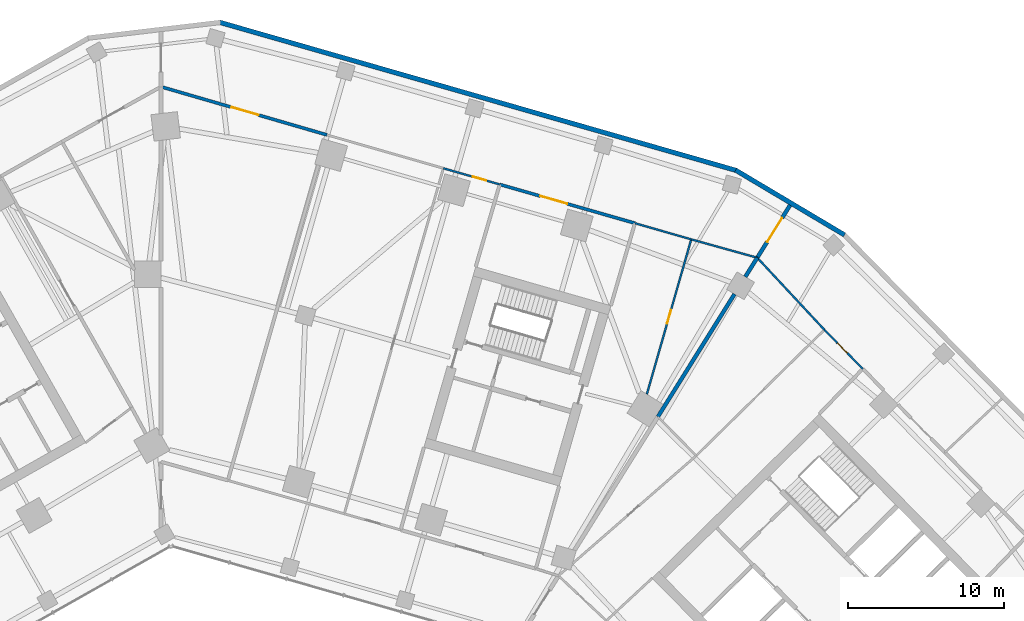
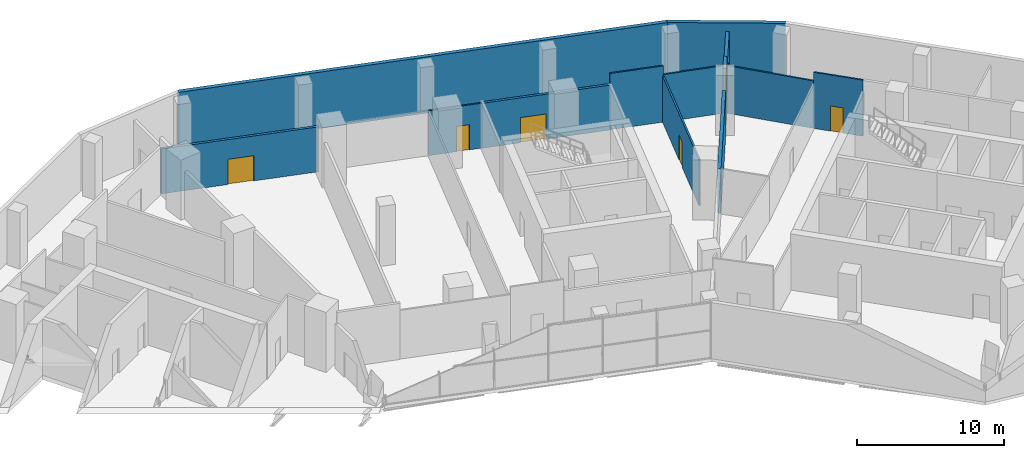
# One storey, part 13 of 16: 13 walls, 6 doors, 6 openings.
"""IFC4 building model written with IfcOpenShell, lengths in metres."""

from ifc_helpers import new_model, si_unit, direction, frame, frame_2d, origin, place, context, subcontext, project, spatial, rectangle, extrude, material, layer, layer_set, type_object, element, fill, save


model = new_model("IFC4")

# Units and contexts
model_context = context("Model", 3, precision=1e-05, world=origin(), true_north=direction((0.0, 1.0)))
body_context = subcontext(model_context, "Body", "Model", "MODEL_VIEW")
ifc_project = project(units=[si_unit("LENGTHUNIT", "METRE"), si_unit("AREAUNIT", "SQUARE_METRE"), si_unit("VOLUMEUNIT", "CUBIC_METRE"), si_unit("PLANEANGLEUNIT", "RADIAN"), si_unit("MASSUNIT", "GRAM", prefix="KILO")], contexts=[model_context])

# Site, building, storey
site_placement = place(None, origin())
site = spatial("IfcSite", under=ifc_project, at=site_placement, CompositionType="ELEMENT")
building_placement = place(site_placement, origin())
building = spatial("IfcBuilding", under=site, at=building_placement, Name="Binnacle Exchange Tower", CompositionType="ELEMENT")
storey_placement = place(building_placement, frame((0.0, 0.0, 21.5)))
storey = spatial("IfcBuildingStorey", under=building, at=storey_placement, Name="L04", CompositionType="ELEMENT", Elevation=21.5)

# Walls
ifc_material_1 = material(Name="Bronze aluminium louvre", Category="aluminium")
ifc_layer_1 = layer(ifc_material_1, 0.300048828125)
ifc_layer_set_1 = layer_set([ifc_layer_1], Name="External wall - podium louvre 300")
wall_type_1 = type_object("IfcWallType", Name="External wall - podium louvre 300", PredefinedType="STANDARD", material=ifc_layer_set_1)
wall_1_placement = place(storey_placement, frame((3.74658203125, 76.127197265625, 0.0), z_axis=(0.0, 0.0, 1.0), x_axis=(0.961261546185, -0.275637878067, 0.0)))
element("IfcWall", 1, at=wall_1_placement, inside=storey, type_object=wall_type_1, Name="External wall EW-P00 L04", PredefinedType="STANDARD", context=body_context, shape_type="SweptSolid", body=[
    extrude(rectangle(XDim=34.39453125, YDim=0.300048828125, at=frame_2d((17.197265625, 0.0))), origin(), (0.0, 0.0, 1.0), 4.679931640625),
])
wall_2_placement = place(storey_placement, frame((36.7734375, 66.662109375, 0.0), z_axis=(0.0, 0.0, 1.0), x_axis=(0.859395976805, -0.511310624817, 0.0)))
element("IfcWall", 2, at=wall_2_placement, inside=storey, type_object=wall_type_1, Name="External wall EW-P13 L04", PredefinedType="STANDARD", context=body_context, shape_type="SweptSolid", body=[
    extrude(rectangle(XDim=8.102294921875, YDim=0.300048828125, at=frame_2d((4.05126953125, 0.0))), origin(), (0.0, 0.0, 1.0), 4.679931640625),
])

# Wall, opening, door
ifc_material_2 = material(Name="Masonry block wall", Category="masonry")
ifc_layer_2 = layer(ifc_material_2, 0.199951171875)
ifc_layer_set_2 = layer_set([ifc_layer_2], Name="Fire wall - block 200")
wall_type_2 = type_object("IfcWallType", Name="Fire wall - block 200", PredefinedType="PARTITIONING", material=ifc_layer_set_2)
wall_3_placement = place(storey_placement, frame((0.0, 72.0, 0.0), z_axis=(0.0, 0.0, 1.0), x_axis=(0.960375968852, -0.278707729443, 0.0)))
wall_3 = element("IfcWall", 3, at=wall_3_placement, inside=storey, type_object=wall_type_2, Name="Partition W47", PredefinedType="PARTITIONING", context=body_context, shape_type="SweptSolid", body=[
    extrude(rectangle(XDim=11.058349609375, YDim=0.199951171875, at=frame_2d((5.529296875, 0.0))), origin(), (0.0, 0.0, 1.0), 3.741943359375),
])
opening_1_placement = place(wall_3_placement, frame((4.699951171875, 0.0, 0.0)))
opening_1 = element("IfcOpeningElement", 4, at=opening_1_placement, cuts=wall_3, Name="Opening DL03-18", PredefinedType="OPENING", context=body_context, shape_type="SweptSolid", body=[
    extrude(rectangle(XDim=1.800048828125, YDim=2.10009765625, at=frame_2d((0.89990234375, 1.050048828125))), frame((0.0, 0.10986328125, 0.0), z_axis=(0.0, -1.0, 0.0), x_axis=(1.0, 0.0, 0.0)), (0.0, 0.0, 1.0), 0.219970703125),
])
ifc_material_3 = material(Name="Steel door leaf", Category="steel")
door_type_1 = type_object("IfcDoorType", Name="Fire door 1800", OperationType="NOTDEFINED", PredefinedType="DOOR", material=ifc_material_3)
door_1_placement = place(opening_1_placement, frame((1.800048828125, 0.0, 0.0), z_axis=(0.0, 0.0, 1.0), x_axis=(-1.0, 0.0, 0.0)))
door_1 = element("IfcDoor", 5, at=door_1_placement, inside=storey, type_object=door_type_1, Name="Door DL03-18", OperationType="DOUBLE_DOOR_SINGLE_SWING", OverallHeight=2.10009765625, OverallWidth=1.800048828125, PredefinedType="DOOR", context=body_context, shape_type="SweptSolid", body=[
    extrude(rectangle(XDim=1.800048828125, YDim=2.10009765625, at=frame_2d((0.89990234375, 1.050048828125))), frame((0.0, 0.02490234375, 0.0), z_axis=(0.0, -1.0, 0.0), x_axis=(1.0, 0.0, 0.0)), (0.0, 0.0, 1.0), 0.050048828125),
])
fill(opening_1, door_1)

wall_4_placement = place(storey_placement, frame((21.674072265625, 65.7490234375, 0.0), z_axis=(0.0, 0.0, 1.0), x_axis=(0.961259417468, -0.275645301662, 0.0)))
wall_4 = element("IfcWall", 6, at=wall_4_placement, inside=storey, type_object=wall_type_2, Name="Partition W57", PredefinedType="PARTITIONING", context=body_context, shape_type="SweptSolid", body=[
    extrude(rectangle(XDim=9.00048828125, YDim=0.199951171875, at=frame_2d((4.500244140625, 0.0))), origin(), (0.0, 0.0, 1.0), 3.748046875),
])
opening_2_placement = place(wall_4_placement, frame((2.699951171875, 0.0, 0.0)))
opening_2 = element("IfcOpeningElement", 7, at=opening_2_placement, cuts=wall_4, Name="Opening DL03-21", PredefinedType="OPENING", context=body_context, shape_type="SweptSolid", body=[
    extrude(rectangle(XDim=1.800048828125, YDim=2.10009765625, at=frame_2d((0.89990234375, 1.050048828125))), frame((0.0, 0.10986328125, 0.0), z_axis=(0.0, -1.0, 0.0), x_axis=(1.0, 0.0, 0.0)), (0.0, 0.0, 1.0), 0.219970703125),
])
door_2_placement = place(opening_2_placement, frame((1.800048828125, 0.0, 0.0), z_axis=(0.0, 0.0, 1.0), x_axis=(-1.0, 0.0, 0.0)))
door_2 = element("IfcDoor", 8, at=door_2_placement, inside=storey, type_object=door_type_1, Name="Door DL03-21", OperationType="DOUBLE_DOOR_SINGLE_SWING", OverallHeight=2.10009765625, OverallWidth=1.800048828125, PredefinedType="DOOR", context=body_context, shape_type="SweptSolid", body=[
    extrude(rectangle(XDim=1.800048828125, YDim=2.10009765625, at=frame_2d((0.89990234375, 1.050048828125))), frame((0.0, 0.02490234375, 0.0), z_axis=(0.0, -1.0, 0.0), x_axis=(1.0, 0.0, 0.0)), (0.0, 0.0, 1.0), 0.050048828125),
])
fill(opening_2, door_2)

# Walls
ifc_material_4 = material(Name="Concrete fire wall C30/37", Category="concrete")
ifc_layer_3 = layer(ifc_material_4, 0.25)
ifc_layer_set_3 = layer_set([ifc_layer_3], Name="Fire wall - compartment 250")
wall_type_3 = type_object("IfcWallType", Name="Fire wall - compartment 250", PredefinedType="PARTITIONING", material=ifc_layer_set_3)
wall_5_placement = place(storey_placement, frame((31.794921875, 50.883056640625, 0.0), z_axis=(0.0, 0.0, 1.0), x_axis=(0.529939676421, 0.848035340864, 0.0)))
element("IfcWall", 9, at=wall_5_placement, inside=storey, type_object=wall_type_3, Name="Fire Wall W70", PredefinedType="PARTITIONING", context=body_context, shape_type="SweptSolid", body=[
    extrude(rectangle(XDim=9.257568359375, YDim=0.25, at=frame_2d((4.62890625, 0.0))), origin(), (0.0, 0.0, 1.0), 3.741943359375),
])
wall_6_placement = place(storey_placement, frame((37.389892578125, 59.8369140625, 0.0), z_axis=(0.0, 0.0, 1.0), x_axis=(0.530151180786, 0.84790313451, 0.0)))
element("IfcWall", 10, at=wall_6_placement, inside=storey, type_object=wall_type_3, Name="Fire Wall W73", PredefinedType="PARTITIONING", context=body_context, shape_type="SweptSolid", body=[
    extrude(rectangle(XDim=1.44140625, YDim=0.25, at=frame_2d((0.720703125, 0.0))), origin(), (0.0, 0.0, 1.0), 4.679931640625),
])

# Wall, opening, door
wall_7_placement = place(storey_placement, frame((38.154052734375, 61.05908203125, 0.0), z_axis=(0.0, 0.0, 1.0), x_axis=(0.529921368013, 0.848046781565, 0.0)))
wall_7 = element("IfcWall", 11, at=wall_7_placement, inside=storey, type_object=wall_type_3, Name="Fire Wall W75", PredefinedType="PARTITIONING", context=body_context, shape_type="SweptSolid", body=[
    extrude(rectangle(XDim=3.960693359375, YDim=0.25, at=frame_2d((1.98046875, 0.0))), origin(), (0.0, 0.0, 1.0), 3.9599609375),
])
opening_3_placement = place(wall_7_placement, frame((1.199951171875, 0.0, 0.0)))
opening_3 = element("IfcOpeningElement", 12, at=opening_3_placement, cuts=wall_7, Name="Opening DL03-34", PredefinedType="OPENING", context=body_context, shape_type="SweptSolid", body=[
    extrude(rectangle(XDim=1.800048828125, YDim=2.10009765625, at=frame_2d((0.89990234375, 1.050048828125))), frame((0.0, 0.135009765625, 0.0), z_axis=(0.0, -1.0, 0.0), x_axis=(1.0, 0.0, 0.0)), (0.0, 0.0, 1.0), 0.27001953125),
])
door_3_placement = place(opening_3_placement, origin())
door_3 = element("IfcDoor", 13, at=door_3_placement, inside=storey, type_object=door_type_1, Name="Door DL03-34", OperationType="DOUBLE_DOOR_SINGLE_SWING", OverallHeight=2.10009765625, OverallWidth=1.800048828125, PredefinedType="DOOR", context=body_context, shape_type="SweptSolid", body=[
    extrude(rectangle(XDim=1.800048828125, YDim=2.10009765625, at=frame_2d((0.89990234375, 1.050048828125))), frame((0.0, 0.02490234375, 0.0), z_axis=(0.0, -1.0, 0.0), x_axis=(1.0, 0.0, 0.0)), (0.0, 0.0, 1.0), 0.050048828125),
])
fill(opening_3, door_3)

ifc_material_5 = material(Name="Gypsum partition")
ifc_layer_4 = layer(ifc_material_5, 0.125)
ifc_layer_set_4 = layer_set([ifc_layer_4], Name="Partition 125")
wall_type_4 = type_object("IfcWallType", Name="Partition 125", PredefinedType="PARTITIONING", material=ifc_layer_set_4)
wall_8_placement = place(storey_placement, frame((18.069091796875, 66.781982421875, 0.0), z_axis=(0.0, 0.0, 1.0), x_axis=(0.961314848061, -0.275451924837, 0.0)))
wall_8 = element("IfcWall", 14, at=wall_8_placement, inside=storey, type_object=wall_type_4, Name="Partition W55", PredefinedType="PARTITIONING", context=body_context, shape_type="SweptSolid", body=[
    extrude(rectangle(XDim=3.75, YDim=0.125, at=frame_2d((1.875, 0.0))), origin(), (0.0, 0.0, 1.0), 3.741943359375),
])
opening_4_placement = place(wall_8_placement, frame((1.949951171875, 0.0, 0.0)))
opening_4 = element("IfcOpeningElement", 15, at=opening_4_placement, cuts=wall_8, Name="Opening DL03-17", PredefinedType="OPENING", context=body_context, shape_type="SweptSolid", body=[
    extrude(rectangle(XDim=0.89990234375, YDim=2.10009765625, at=frame_2d((0.449951171875, 1.050048828125))), frame((0.0, 0.072509765625, 0.0), z_axis=(0.0, -1.0, 0.0), x_axis=(1.0, 0.0, 0.0)), (0.0, 0.0, 1.0), 0.14501953125),
])
ifc_material_6 = material(Name="Timber door leaf", Category="wood")
door_type_2 = type_object("IfcDoorType", Name="Door 900", OperationType="NOTDEFINED", PredefinedType="DOOR", material=ifc_material_6)
door_4_placement = place(opening_4_placement, origin())
door_4 = element("IfcDoor", 16, at=door_4_placement, inside=storey, type_object=door_type_2, Name="Door DL03-17", OperationType="SINGLE_SWING_RIGHT", OverallHeight=2.10009765625, OverallWidth=0.89990234375, PredefinedType="DOOR", context=body_context, shape_type="SweptSolid", body=[
    extrude(rectangle(XDim=0.89990234375, YDim=2.10009765625, at=frame_2d((0.449951171875, 1.050048828125))), frame((0.0, 0.02490234375, 0.0), z_axis=(0.0, -1.0, 0.0), x_axis=(1.0, 0.0, 0.0)), (0.0, 0.0, 1.0), 0.050048828125),
])
fill(opening_4, door_4)

# Wall
wall_9_placement = place(storey_placement, frame((30.325927734375, 63.26806640625, 0.0), z_axis=(0.0, 0.0, 1.0), x_axis=(0.96120880595, -0.275821738383, 0.0)))
element("IfcWall", 17, at=wall_9_placement, inside=storey, type_object=wall_type_4, Name="Partition W67", PredefinedType="PARTITIONING", context=body_context, shape_type="SweptSolid", body=[
    extrude(rectangle(XDim=3.74951171875, YDim=0.125, at=frame_2d((1.874755859375, 0.0))), origin(), (0.0, 0.0, 1.0), 4.679931640625),
])

# Wall, opening, door
wall_10_placement = place(storey_placement, frame((31.089111328125, 52.326904296875, 0.0), z_axis=(0.0, 0.0, 1.0), x_axis=(0.275640835953, 0.961260698019, 0.0)))
wall_10 = element("IfcWall", 18, at=wall_10_placement, inside=storey, type_object=wall_type_4, Name="Partition W68", PredefinedType="PARTITIONING", context=body_context, shape_type="SweptSolid", body=[
    extrude(rectangle(XDim=10.30615234375, YDim=0.125, at=frame_2d((5.153076171875, 0.0))), origin(), (0.0, 0.0, 1.0), 3.85205078125),
])
opening_5_placement = place(wall_10_placement, frame((4.699951171875, 0.0, 0.0)))
opening_5 = element("IfcOpeningElement", 19, at=opening_5_placement, cuts=wall_10, Name="Opening DL03-20", PredefinedType="OPENING", context=body_context, shape_type="SweptSolid", body=[
    extrude(rectangle(XDim=0.89990234375, YDim=2.10009765625, at=frame_2d((0.449951171875, 1.050048828125))), frame((0.0, 0.072509765625, 0.0), z_axis=(0.0, -1.0, 0.0), x_axis=(1.0, 0.0, 0.0)), (0.0, 0.0, 1.0), 0.14501953125),
])
door_5_placement = place(opening_5_placement, frame((0.89990234375, 0.0, 0.0), z_axis=(0.0, 0.0, 1.0), x_axis=(-1.0, 0.0, 0.0)))
door_5 = element("IfcDoor", 20, at=door_5_placement, inside=storey, type_object=door_type_2, Name="Door DL03-20", OperationType="SINGLE_SWING_RIGHT", OverallHeight=2.10009765625, OverallWidth=0.89990234375, PredefinedType="DOOR", context=body_context, shape_type="SweptSolid", body=[
    extrude(rectangle(XDim=0.89990234375, YDim=2.10009765625, at=frame_2d((0.449951171875, 1.050048828125))), frame((0.0, 0.02490234375, 0.0), z_axis=(0.0, -1.0, 0.0), x_axis=(1.0, 0.0, 0.0)), (0.0, 0.0, 1.0), 0.050048828125),
])
fill(opening_5, door_5)

# Walls
wall_11_placement = place(storey_placement, frame((33.929931640625, 62.23388671875, 0.0), z_axis=(0.0, 0.0, 1.0), x_axis=(0.963433299433, -0.267948274007, 0.0)))
element("IfcWall", 21, at=wall_11_placement, inside=storey, type_object=wall_type_4, Name="Partition W71", PredefinedType="PARTITIONING", context=body_context, shape_type="SweptSolid", body=[
    extrude(rectangle(XDim=4.384521484375, YDim=0.125, at=frame_2d((2.1923828125, 0.0))), origin(), (0.0, 0.0, 1.0), 3.9599609375),
])
wall_12_placement = place(storey_placement, frame((38.154052734375, 61.05908203125, 0.0), z_axis=(0.0, 0.0, 1.0), x_axis=(0.681663875787, -0.731665470312, 0.0)))
element("IfcWall", 22, at=wall_12_placement, inside=storey, type_object=wall_type_4, Name="Partition W76", PredefinedType="PARTITIONING", context=body_context, shape_type="SweptSolid", body=[
    extrude(rectangle(XDim=6.303466796875, YDim=0.125, at=frame_2d((3.15185546875, 0.0))), origin(), (0.0, 0.0, 1.0), 3.9599609375),
])

# Wall, opening, door
wall_13_placement = place(storey_placement, frame((42.450927734375, 56.447021484375, 0.0), z_axis=(0.0, 0.0, 1.0), x_axis=(0.700941316052, -0.713218950569, 0.0)))
wall_13 = element("IfcWall", 23, at=wall_13_placement, inside=storey, type_object=wall_type_4, Name="Partition W78", PredefinedType="PARTITIONING", context=body_context, shape_type="SweptSolid", body=[
    extrude(rectangle(XDim=3.499755859375, YDim=0.125, at=frame_2d((1.75, 0.0))), origin(), (0.0, 0.0, 1.0), 4.679931640625),
])
opening_6_placement = place(wall_13_placement, frame((1.199951171875, 0.0, 0.0)))
opening_6 = element("IfcOpeningElement", 24, at=opening_6_placement, cuts=wall_13, Name="Opening DL03-25", PredefinedType="OPENING", context=body_context, shape_type="SweptSolid", body=[
    extrude(rectangle(XDim=0.89990234375, YDim=2.10009765625, at=frame_2d((0.449951171875, 1.050048828125))), frame((0.0, 0.072509765625, 0.0), z_axis=(0.0, -1.0, 0.0), x_axis=(1.0, 0.0, 0.0)), (0.0, 0.0, 1.0), 0.14501953125),
])
door_6_placement = place(opening_6_placement, origin())
door_6 = element("IfcDoor", 25, at=door_6_placement, inside=storey, type_object=door_type_2, Name="Door DL03-25", OperationType="SINGLE_SWING_LEFT", OverallHeight=2.10009765625, OverallWidth=0.89990234375, PredefinedType="DOOR", context=body_context, shape_type="SweptSolid", body=[
    extrude(rectangle(XDim=0.89990234375, YDim=2.10009765625, at=frame_2d((0.449951171875, 1.050048828125))), frame((0.0, 0.02490234375, 0.0), z_axis=(0.0, -1.0, 0.0), x_axis=(1.0, 0.0, 0.0)), (0.0, 0.0, 1.0), 0.050048828125),
])
fill(opening_6, door_6)

save(model, "model.ifc")
